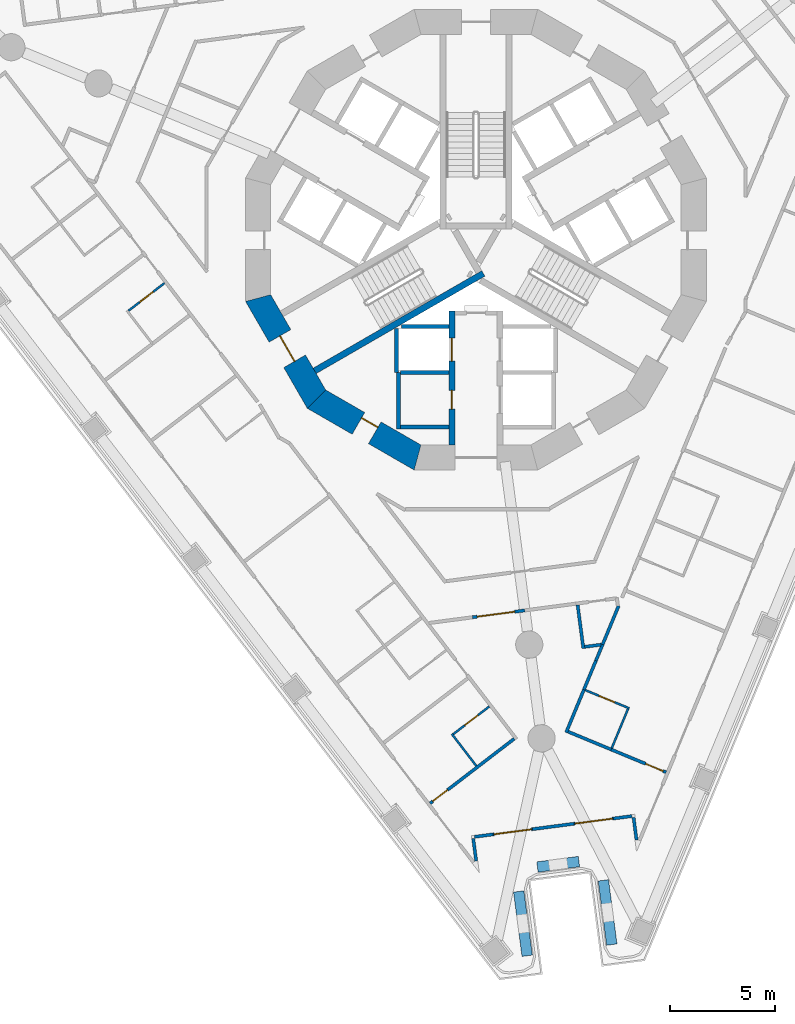
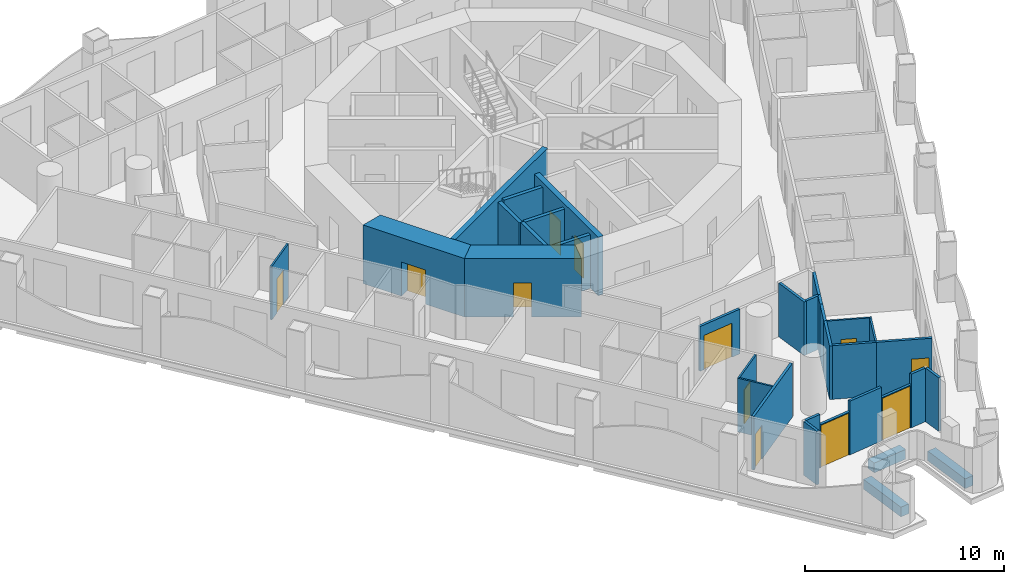
# One storey, part 3 of 19: 34 walls, 12 doors, 12 openings.
"""IFC4 building model written with IfcOpenShell, lengths in metres."""

from ifc_helpers import new_model, si_unit, direction, frame, frame_2d, origin, place, context, subcontext, project, spatial, polyline, rectangle, outline, extrude, material, layer, layer_set, type_object, element, fill, save


model = new_model("IFC4")

# Units and contexts
model_context = context("Model", 3, precision=1e-05, world=origin(), true_north=direction((0.0, 1.0)))
body_context = subcontext(model_context, "Body", "Model", "MODEL_VIEW")
ifc_project = project(units=[si_unit("LENGTHUNIT", "METRE"), si_unit("AREAUNIT", "SQUARE_METRE"), si_unit("VOLUMEUNIT", "CUBIC_METRE"), si_unit("PLANEANGLEUNIT", "RADIAN"), si_unit("MASSUNIT", "GRAM", prefix="KILO")], contexts=[model_context])

# Site, building, storey
site_placement = place(None, origin())
site = spatial("IfcSite", under=ifc_project, at=site_placement, CompositionType="ELEMENT")
building_placement = place(site_placement, origin())
building = spatial("IfcBuilding", under=site, at=building_placement, Name="Trine Commons Tower", CompositionType="ELEMENT")
storey_placement = place(building_placement, frame((0.0, 0.0, 61.199951171875)))
storey = spatial("IfcBuildingStorey", under=building, at=storey_placement, Name="L14", CompositionType="ELEMENT", Elevation=61.199951171875)

# Walls
ifc_material_1 = material(Name="Aluminium-framed insulated wall panel", Category="aluminium")
ifc_layer_1 = layer(ifc_material_1, 0.14990234375)
ifc_layer_set_1 = layer_set([ifc_layer_1], Name="Aluminium-framed insulated wall panel")
wall_type_1 = type_object("IfcWallType", Name="Glazed frame wall 150, EI 60", PredefinedType="SOLIDWALL", material=ifc_layer_set_1)
wall_1_placement = place(storey_placement, frame((87.6953125, 33.6591796875, 0.0), z_axis=(0.0, 0.0, 1.0), x_axis=(-0.130510858064, 0.991446880033, 0.0)))
element("IfcWall", 1, at=wall_1_placement, inside=storey, type_object=wall_type_1, Name="Glazed frame wall R9", PredefinedType="SOLIDWALL", context=body_context, shape_type="SweptSolid", body=[
    extrude(outline(polyline([(0.1494140625, 0.074951171875), (0.1494140625, -0.074951171875), (1.235107421875, -0.074951171875), (1.235107421875, 0.074951171875), (0.1494140625, 0.074951171875)])), origin(), (0.0, 0.0, 1.0), 3.300048828125),
])
wall_2_placement = place(storey_placement, frame((87.55908203125, 34.96240234375, 0.0), z_axis=(0.0, 0.0, 1.0), x_axis=(-0.991465094935, -0.130372410907, 0.0)))
element("IfcWall", 2, at=wall_2_placement, inside=storey, type_object=wall_type_1, Name="Glazed frame wall P3.1", PredefinedType="SOLIDWALL", context=body_context, shape_type="SweptSolid", body=[
    extrude(outline(polyline([(0.110107421875, -0.074951171875), (1.0, -0.074951171875), (1.0, 0.074951171875), (0.110107421875, 0.074951171875), (0.110107421875, -0.074951171875)])), origin(), (0.0, 0.0, 1.0), 3.300048828125),
])

# Wall, opening, door
wall_3_placement = place(storey_placement, frame((86.567626953125, 34.83203125, 0.0), z_axis=(0.0, 0.0, 1.0), x_axis=(-0.991442045538, -0.130547578832, 0.0)))
wall_3 = element("IfcWall", 3, at=wall_3_placement, inside=storey, type_object=wall_type_1, Name="Glazed frame wall P3.2", PredefinedType="SOLIDWALL", context=body_context, shape_type="SweptSolid", body=[
    extrude(outline(polyline([(0.0, -0.074951171875), (1.89990234375, -0.074951171875), (1.89990234375, 0.074951171875), (0.0, 0.074951171875), (0.0, -0.074951171875)])), origin(), (0.0, 0.0, 1.0), 2.650146484375),
])
opening_1_placement = place(wall_3_placement, frame((0.050048828125, 0.0, 0.0)))
opening_1 = element("IfcOpeningElement", 4, at=opening_1_placement, cuts=wall_3, Name="Opening BD-2P3-01", PredefinedType="OPENING", context=body_context, shape_type="SweptSolid", body=[
    extrude(rectangle(XDim=1.800048828125, YDim=2.60009765625, at=frame_2d((0.89990234375, 1.300048828125))), frame((0.0, 0.0849609375, 0.0), z_axis=(0.0, -1.0, 0.0), x_axis=(1.0, 0.0, 0.0)), (0.0, 0.0, 1.0), 0.169921875),
])
ifc_material_2 = material(Name="Anodised aluminium frame with double glazing", Category="aluminium")
door_type_1 = type_object("IfcDoorType", Name="Sliding loggia door 1800x2600", OperationType="SLIDING_TO_LEFT", PredefinedType="DOOR", material=ifc_material_2)
door_1_placement = place(opening_1_placement, origin())
door_1 = element("IfcDoor", 5, at=door_1_placement, inside=storey, type_object=door_type_1, Name="Loggia door P3 1", OperationType="SLIDING_TO_LEFT", OverallHeight=2.60009765625, OverallWidth=1.800048828125, PredefinedType="DOOR", context=body_context, shape_type="SweptSolid", body=[
    extrude(rectangle(XDim=1.800048828125, YDim=2.60009765625, at=frame_2d((0.89990234375, 1.300048828125))), frame((0.0, 0.02490234375, 0.0), z_axis=(0.0, -1.0, 0.0), x_axis=(1.0, 0.0, 0.0)), (0.0, 0.0, 1.0), 0.050048828125),
])
fill(opening_1, door_1)

# Wall
wall_4_placement = place(storey_placement, frame((84.683837890625, 34.583984375, 0.0), z_axis=(0.0, 0.0, 1.0), x_axis=(-0.991449308994, -0.130492404742, 0.0)))
element("IfcWall", 6, at=wall_4_placement, inside=storey, type_object=wall_type_1, Name="Glazed frame wall P3.3", PredefinedType="SOLIDWALL", context=body_context, shape_type="SweptSolid", body=[
    extrude(outline(polyline([(0.0, -0.074951171875), (2.0, -0.074951171875), (2.0, 0.074951171875), (0.0, 0.074951171875), (0.0, -0.074951171875)])), origin(), (0.0, 0.0, 1.0), 3.300048828125),
])

# Wall, opening, door
wall_5_placement = place(storey_placement, frame((82.700927734375, 34.322998046875, 0.0), z_axis=(0.0, 0.0, 1.0), x_axis=(-0.991442045538, -0.130547578832, 0.0)))
wall_5 = element("IfcWall", 7, at=wall_5_placement, inside=storey, type_object=wall_type_1, Name="Glazed frame wall P3.4", PredefinedType="SOLIDWALL", context=body_context, shape_type="SweptSolid", body=[
    extrude(outline(polyline([(0.0, -0.074951171875), (1.89990234375, -0.074951171875), (1.89990234375, 0.074951171875), (0.0, 0.074951171875), (0.0, -0.074951171875)])), origin(), (0.0, 0.0, 1.0), 2.650146484375),
])
opening_2_placement = place(wall_5_placement, frame((0.050048828125, 0.0, 0.0)))
opening_2 = element("IfcOpeningElement", 8, at=opening_2_placement, cuts=wall_5, Name="Opening BD-2P3-02", PredefinedType="OPENING", context=body_context, shape_type="SweptSolid", body=[
    extrude(rectangle(XDim=1.800048828125, YDim=2.60009765625, at=frame_2d((0.89990234375, 1.300048828125))), frame((0.0, 0.0849609375, 0.0), z_axis=(0.0, -1.0, 0.0), x_axis=(1.0, 0.0, 0.0)), (0.0, 0.0, 1.0), 0.169921875),
])
door_2_placement = place(opening_2_placement, origin())
door_2 = element("IfcDoor", 9, at=door_2_placement, inside=storey, type_object=door_type_1, Name="Loggia door P3 2", OperationType="SLIDING_TO_LEFT", OverallHeight=2.60009765625, OverallWidth=1.800048828125, PredefinedType="DOOR", context=body_context, shape_type="SweptSolid", body=[
    extrude(rectangle(XDim=1.800048828125, YDim=2.60009765625, at=frame_2d((0.89990234375, 1.300048828125))), frame((0.0, 0.02490234375, 0.0), z_axis=(0.0, -1.0, 0.0), x_axis=(1.0, 0.0, 0.0)), (0.0, 0.0, 1.0), 0.050048828125),
])
fill(opening_2, door_2)

# Walls
wall_6_placement = place(storey_placement, frame((80.817138671875, 34.074951171875, 0.0), z_axis=(0.0, 0.0, 1.0), x_axis=(-0.991433509034, -0.130612392842, 0.0)))
element("IfcWall", 10, at=wall_6_placement, inside=storey, type_object=wall_type_1, Name="Glazed frame wall P3.5", PredefinedType="SOLIDWALL", context=body_context, shape_type="SweptSolid", body=[
    extrude(outline(polyline([(0.889892578125, 0.074951171875), (0.0, 0.074951171875), (0.0, -0.074951171875), (0.889892578125, -0.074951171875), (0.889892578125, 0.074951171875)])), origin(), (0.0, 0.0, 1.0), 3.300048828125),
])
wall_7_placement = place(storey_placement, frame((79.85595703125, 33.983642578125, 0.0), z_axis=(0.0, 0.0, 1.0), x_axis=(0.130510858064, -0.991446880033, 0.0)))
element("IfcWall", 11, at=wall_7_placement, inside=storey, type_object=wall_type_1, Name="Glazed frame wall R11", PredefinedType="SOLIDWALL", context=body_context, shape_type="SweptSolid", body=[
    extrude(outline(polyline([(0.110107421875, 0.074951171875), (0.110107421875, -0.074951171875), (1.19580078125, -0.074951171875), (1.19580078125, 0.074951171875), (0.110107421875, 0.074951171875)])), origin(), (0.0, 0.0, 1.0), 3.300048828125),
])
ifc_material_3 = material(Name="Planter trough, precast concrete C40/50", Category="concrete")
ifc_layer_2 = layer(ifc_material_3, 0.5)
ifc_layer_set_2 = layer_set([ifc_layer_2], Name="Planter trough, precast concrete C40/50")
wall_type_2 = type_object("IfcWallType", Name="Planter trough 500x600", PredefinedType="PARAPET", material=ifc_layer_set_2)
wall_8_placement = place(storey_placement, frame((86.493408203125, 28.805908203125, 0.0), z_axis=(0.0, 0.0, 1.0), x_axis=(-0.130507484591, 0.9914473241, 0.0)))
element("IfcWall", 12, at=wall_8_placement, inside=storey, type_object=wall_type_2, Name="Planter 7", PredefinedType="PARAPET", context=body_context, shape_type="SweptSolid", body=[
    extrude(rectangle(XDim=3.099853515625, YDim=0.5, at=frame_2d((1.5498046875, 0.0))), origin(), (0.0, 0.0, 1.0), 0.60009765625),
])
wall_9_placement = place(storey_placement, frame((84.922119140625, 32.774658203125, 0.0), z_axis=(0.0, 0.0, 1.0), x_axis=(-0.991433509034, -0.130612392842, 0.0)))
element("IfcWall", 13, at=wall_9_placement, inside=storey, type_object=wall_type_2, Name="Planter 8", PredefinedType="PARAPET", context=body_context, shape_type="SweptSolid", body=[
    extrude(rectangle(XDim=2.0, YDim=0.5, at=frame_2d((1.0, 0.0))), origin(), (0.0, 0.0, 1.0), 0.60009765625),
])
wall_10_placement = place(storey_placement, frame((82.043701171875, 31.3466796875, 0.0), z_axis=(0.0, 0.0, 1.0), x_axis=(0.130574707151, -0.991438473054, 0.0)))
element("IfcWall", 14, at=wall_10_placement, inside=storey, type_object=wall_type_2, Name="Planter 9", PredefinedType="PARAPET", context=body_context, shape_type="SweptSolid", body=[
    extrude(rectangle(XDim=3.10009765625, YDim=0.5, at=frame_2d((1.550048828125, 0.0))), origin(), (0.0, 0.0, 1.0), 0.60009765625),
])

# Wall, opening, door
ifc_material_4 = material(Name="Concrete C80/95", Category="concrete")
ifc_layer_3 = layer(ifc_material_4, 1.199951171875)
ifc_layer_set_3 = layer_set([ifc_layer_3], Name="Concrete C80/95")
wall_type_3 = type_object("IfcWallType", Name="RC shear wall 1200 mm, C80/95", PredefinedType="SHEAR", material=ifc_layer_set_3)
wall_11_placement = place(storey_placement, frame((69.508056640625, 59.849609375, 0.0), z_axis=(0.0, 0.0, 1.0), x_axis=(0.499979111662, -0.866037463336, 0.0)))
wall_11 = element("IfcWall", 15, at=wall_11_placement, inside=storey, type_object=wall_type_3, Name="Core wall CWB-08 L14", PredefinedType="SHEAR", context=body_context, shape_type="SweptSolid", body=[
    extrude(outline(polyline([(0.0, -0.60009765625), (5.901123046875, -0.60009765625), (5.57958984375, 0.60009765625), (0.321533203125, 0.60009765625), (0.0, -0.60009765625)])), origin(), (0.0, 0.0, 1.0), 3.60009765625),
])
opening_3_placement = place(wall_11_placement, frame((2.25048828125, 0.0, 0.0)))
opening_3 = element("IfcOpeningElement", 16, at=opening_3_placement, cuts=wall_11, Name="Opening K05.02", PredefinedType="OPENING", context=body_context, shape_type="SweptSolid", body=[
    extrude(rectangle(XDim=1.39990234375, YDim=2.10009765625, at=frame_2d((0.699951171875, 1.050048828125))), frame((0.0, 0.60986328125, 0.0), z_axis=(0.0, -1.0, 0.0), x_axis=(1.0, 0.0, 0.0)), (0.0, 0.0, 1.0), 1.219970703125),
])
ifc_material_5 = material(Name="Steel door leaves, fire-rated", Category="steel")
door_type_2 = type_object("IfcDoorType", Name="Stair door, double leaf 1400 x 2100, FD90", OperationType="DOUBLE_DOOR_SINGLE_SWING", PredefinedType="DOOR", material=ifc_material_5)
door_3_placement = place(opening_3_placement, origin())
door_3 = element("IfcDoor", 17, at=door_3_placement, inside=storey, type_object=door_type_2, Name="Stair door to Exit stair ST2A L14", OperationType="DOUBLE_DOOR_SINGLE_SWING", OverallHeight=2.10009765625, OverallWidth=1.39990234375, PredefinedType="DOOR", context=body_context, shape_type="SweptSolid", body=[
    extrude(rectangle(XDim=1.39990234375, YDim=2.10009765625, at=frame_2d((0.699951171875, 1.050048828125))), frame((0.0, 0.02490234375, 0.0), z_axis=(0.0, -1.0, 0.0), x_axis=(1.0, 0.0, 0.0)), (0.0, 0.0, 1.0), 0.050048828125),
])
fill(opening_3, door_3)

wall_12_placement = place(storey_placement, frame((72.239013671875, 54.95849609375, 0.0), z_axis=(0.0, 0.0, 1.0), x_axis=(0.866037463336, -0.499979111662, 0.0)))
wall_12 = element("IfcWall", 18, at=wall_12_placement, inside=storey, type_object=wall_type_3, Name="Core wall CWB-09 L14", PredefinedType="SHEAR", context=body_context, shape_type="SweptSolid", body=[
    extrude(outline(polyline([(0.0, -0.60009765625), (5.901123046875, -0.60009765625), (5.57958984375, 0.60009765625), (0.321533203125, 0.60009765625), (0.0, -0.60009765625)])), origin(), (0.0, 0.0, 1.0), 3.60009765625),
])
opening_4_placement = place(wall_12_placement, frame((2.4765625, 0.0, 0.0)))
opening_4 = element("IfcOpeningElement", 19, at=opening_4_placement, cuts=wall_12, Name="Opening K05.14", PredefinedType="OPENING", context=body_context, shape_type="SweptSolid", body=[
    extrude(rectangle(XDim=0.89990234375, YDim=2.10009765625, at=frame_2d((0.449951171875, 1.050048828125))), frame((0.0, 0.60986328125, 0.0), z_axis=(0.0, -1.0, 0.0), x_axis=(1.0, 0.0, 0.0)), (0.0, 0.0, 1.0), 1.219970703125),
])
ifc_material_6 = material(Name="Steel door leaf, fire-rated", Category="steel")
door_type_3 = type_object("IfcDoorType", Name="Core room door, single leaf 900 x 2100, FD30S", OperationType="SINGLE_SWING_LEFT", PredefinedType="DOOR", material=ifc_material_6)
door_4_placement = place(opening_4_placement, origin())
door_4 = element("IfcDoor", 20, at=door_4_placement, inside=storey, type_object=door_type_3, Name="Door to Parcel store L14", OperationType="SINGLE_SWING_LEFT", OverallHeight=2.10009765625, OverallWidth=0.89990234375, PredefinedType="DOOR", context=body_context, shape_type="SweptSolid", body=[
    extrude(rectangle(XDim=0.89990234375, YDim=2.10009765625, at=frame_2d((0.449951171875, 1.050048828125))), frame((0.0, 0.3251953125, 0.0), z_axis=(0.0, -1.0, 0.0), x_axis=(1.0, 0.0, 0.0)), (0.0, 0.0, 1.0), 0.050048828125),
])
fill(opening_4, door_4)

# Wall, openings, doors
ifc_layer_4 = layer(ifc_material_4, 0.300048828125)
ifc_layer_set_4 = layer_set([ifc_layer_4], Name="Concrete C80/95")
wall_type_4 = type_object("IfcWallType", Name="RC shear wall 300 mm, C80/95", PredefinedType="SHEAR", material=ifc_layer_set_4)
wall_13_placement = place(storey_placement, frame((78.85009765625, 59.10009765625, 0.0), z_axis=(0.0, 0.0, 1.0), x_axis=(0.0, -1.0, 0.0)))
wall_13 = element("IfcWall", 21, at=wall_13_placement, inside=storey, type_object=wall_type_4, Name="Core cross wall SWA-03 L14", PredefinedType="SHEAR", context=body_context, shape_type="SweptSolid", body=[
    extrude(rectangle(XDim=6.412109375, YDim=0.300048828125, at=frame_2d((3.2060546875, 0.0))), origin(), (0.0, 0.0, 1.0), 3.60009765625),
])
opening_5_placement = place(wall_13_placement, frame((3.800048828125, 0.0, 0.0)))
opening_5 = element("IfcOpeningElement", 22, at=opening_5_placement, cuts=wall_13, Name="Opening K05.10", PredefinedType="OPENING", context=body_context, shape_type="SweptSolid", body=[
    extrude(rectangle(XDim=0.89990234375, YDim=2.10009765625, at=frame_2d((0.449951171875, 1.050048828125))), frame((0.0, 0.159912109375, 0.0), z_axis=(0.0, -1.0, 0.0), x_axis=(1.0, 0.0, 0.0)), (0.0, 0.0, 1.0), 0.320068359375),
])
opening_6_placement = place(wall_13_placement, frame((1.300048828125, 0.0, 0.0)))
opening_6 = element("IfcOpeningElement", 23, at=opening_6_placement, cuts=wall_13, Name="Opening LD10", PredefinedType="OPENING", context=body_context, shape_type="SweptSolid", body=[
    extrude(rectangle(XDim=1.10009765625, YDim=2.10009765625, at=frame_2d((0.550048828125, 1.050048828125))), frame((0.0, 0.159912109375, 0.0), z_axis=(0.0, -1.0, 0.0), x_axis=(1.0, 0.0, 0.0)), (0.0, 0.0, 1.0), 0.320068359375),
])
door_5_placement = place(opening_5_placement, frame((0.89990234375, 0.0, 0.0), z_axis=(0.0, 0.0, 1.0), x_axis=(-1.0, 0.0, 0.0)))
door_5 = element("IfcDoor", 24, at=door_5_placement, inside=storey, type_object=door_type_3, Name="Door to Comms room L14", OperationType="SINGLE_SWING_RIGHT", OverallHeight=2.10009765625, OverallWidth=0.89990234375, PredefinedType="DOOR", context=body_context, shape_type="SweptSolid", body=[
    extrude(rectangle(XDim=0.89990234375, YDim=2.10009765625, at=frame_2d((0.449951171875, 1.050048828125))), frame((0.0, 0.02490234375, 0.0), z_axis=(0.0, -1.0, 0.0), x_axis=(1.0, 0.0, 0.0)), (0.0, 0.0, 1.0), 0.050048828125),
])
fill(opening_5, door_5)
ifc_material_7 = material(Name="Stainless steel sliding door leaves", Category="steel")
door_type_4 = type_object("IfcDoorType", Name="Lift landing door, centre-opening sliding 1100 x 2100, FD90", OperationType="DOUBLE_DOOR_SLIDING", PredefinedType="DOOR", material=ifc_material_7)
door_6_placement = place(opening_6_placement, origin())
door_6 = element("IfcDoor", 25, at=door_6_placement, inside=storey, type_object=door_type_4, Name="Lift landing door FF2 L14", OperationType="DOUBLE_DOOR_SLIDING", OverallHeight=2.10009765625, OverallWidth=1.10009765625, PredefinedType="DOOR", context=body_context, shape_type="SweptSolid", body=[
    extrude(rectangle(XDim=1.10009765625, YDim=2.10009765625, at=frame_2d((0.550048828125, 1.050048828125))), frame((0.0, 0.02490234375, 0.0), z_axis=(0.0, -1.0, 0.0), x_axis=(1.0, 0.0, 0.0)), (0.0, 0.0, 1.0), 0.050048828125),
])
fill(opening_6, door_6)

# Walls
wall_14_placement = place(storey_placement, frame((80.35400390625, 60.885986328125, 0.0), z_axis=(0.0, 0.0, 1.0), x_axis=(-0.865986456211, -0.50006745311, 0.0)))
element("IfcWall", 26, at=wall_14_placement, inside=storey, type_object=wall_type_4, Name="Core cross wall SWA-14 L14", PredefinedType="SHEAR", context=body_context, shape_type="SweptSolid", body=[
    extrude(rectangle(XDim=9.310791015625, YDim=0.300048828125, at=frame_2d((4.6552734375, 0.0))), origin(), (0.0, 0.0, 1.0), 3.60009765625),
])
ifc_material_8 = material(Name="Fire-rated gypsum shaft wall system")
ifc_layer_5 = layer(ifc_material_8, 0.199951171875)
ifc_layer_set_5 = layer_set([ifc_layer_5], Name="Fire-rated gypsum shaft wall system")
wall_type_5 = type_object("IfcWallType", Name="Shaft wall 200 mm, EI 120", PredefinedType="PARTITIONING", material=ifc_layer_set_5)
wall_15_placement = place(storey_placement, frame((76.199951171875, 58.256103515625, 0.0), z_axis=(0.0, 0.0, 1.0), x_axis=(0.0, -1.0, 0.0)))
element("IfcWall", 27, at=wall_15_placement, inside=storey, type_object=wall_type_5, Name="Shaft wall L14", PredefinedType="PARTITIONING", context=body_context, shape_type="SweptSolid", body=[
    extrude(rectangle(XDim=2.106201171875, YDim=0.199951171875, at=frame_2d((1.05322265625, 0.0))), origin(), (0.0, 0.0, 1.0), 3.300048828125),
])
wall_16_placement = place(storey_placement, frame((76.300048828125, 56.14990234375, 0.0), z_axis=(0.0, 0.0, 1.0), x_axis=(0.0, -1.0, 0.0)))
element("IfcWall", 28, at=wall_16_placement, inside=storey, type_object=wall_type_5, Name="Shaft wall L14", PredefinedType="PARTITIONING", context=body_context, shape_type="SweptSolid", body=[
    extrude(rectangle(XDim=2.699951171875, YDim=0.199951171875, at=frame_2d((1.35009765625, 0.0))), origin(), (0.0, 0.0, 1.0), 3.300048828125),
])
for number, where, z_axis, x_axis, name in (
    (29, (78.699951171875, 53.550048828125, 0.0), (0.0, 0.0, 1.0), (-1.0, 0.0, 0.0), "Shaft wall L14"),
    (30, (78.699951171875, 56.14990234375, 0.0), (0.0, 0.0, 1.0), (-1.0, 0.0, 0.0), "Shaft wall L14"),
):
    element("IfcWall", number, at=place(storey_placement, frame(where, z_axis=z_axis, x_axis=x_axis)), inside=storey, type_object=wall_type_5, Name=name, PredefinedType="PARTITIONING", context=body_context, shape_type="SweptSolid", body=[
        extrude(rectangle(XDim=2.300048828125, YDim=0.199951171875, at=frame_2d((1.14990234375, 0.0))), origin(), (0.0, 0.0, 1.0), 3.300048828125),
    ])
wall_17_placement = place(storey_placement, frame((78.699951171875, 58.35009765625, 0.0), z_axis=(0.0, 0.0, 1.0), x_axis=(-1.0, 0.0, 0.0)))
element("IfcWall", 31, at=wall_17_placement, inside=storey, type_object=wall_type_5, Name="Shaft wall L14", PredefinedType="PARTITIONING", context=body_context, shape_type="SweptSolid", body=[
    extrude(rectangle(XDim=2.264892578125, YDim=0.199951171875, at=frame_2d((1.13232421875, 0.0))), origin(), (0.0, 0.0, 1.0), 3.300048828125),
])

# Wall, opening, door
ifc_material_9 = material(Name="Gypsum plasterboard on steel stud", Category="steel")
ifc_layer_6 = layer(ifc_material_9, 0.14990234375)
ifc_layer_set_6 = layer_set([ifc_layer_6], Name="Gypsum plasterboard on steel stud")
wall_type_6 = type_object("IfcWallType", Name="Unit and corridor wall 150 mm, EI 60", PredefinedType="PARTITIONING", material=ifc_layer_set_6)
wall_18_placement = place(storey_placement, frame((77.810791015625, 35.560302734375, 0.0), z_axis=(0.0, 0.0, 1.0), x_axis=(0.793261664916, 0.60888088406, 0.0)))
wall_18 = element("IfcWall", 32, at=wall_18_placement, inside=storey, type_object=wall_type_6, Name="Partition 074", PredefinedType="PARTITIONING", context=body_context, shape_type="SweptSolid", body=[
    extrude(rectangle(XDim=5.0634765625, YDim=0.14990234375, at=frame_2d((2.53173828125, 0.0))), origin(), (0.0, 0.0, 1.0), 3.300048828125),
])
opening_7_placement = place(wall_18_placement, frame((0.14990234375, 0.0, 0.0)))
opening_7 = element("IfcOpeningElement", 33, at=opening_7_placement, cuts=wall_18, Name="Opening D-2B23", PredefinedType="OPENING", context=body_context, shape_type="SweptSolid", body=[
    extrude(rectangle(XDim=0.89990234375, YDim=2.10009765625, at=frame_2d((0.449951171875, 1.050048828125))), frame((0.0, 0.0849609375, 0.0), z_axis=(0.0, -1.0, 0.0), x_axis=(1.0, 0.0, 0.0)), (0.0, 0.0, 1.0), 0.169921875),
])
ifc_material_10 = material(Name="Timber fire door set", Category="wood")
door_type_5 = type_object("IfcDoorType", Name="Bedroom door 900 x 2100, FD30S", OperationType="NOTDEFINED", PredefinedType="DOOR", material=ifc_material_10)
door_7_placement = place(opening_7_placement, origin())
door_7 = element("IfcDoor", 34, at=door_7_placement, inside=storey, type_object=door_type_5, Name="Door D-2B23", OperationType="SINGLE_SWING_LEFT", OverallHeight=2.10009765625, OverallWidth=0.89990234375, PredefinedType="DOOR", context=body_context, shape_type="SweptSolid", body=[
    extrude(rectangle(XDim=0.89990234375, YDim=2.10009765625, at=frame_2d((0.449951171875, 1.050048828125))), frame((0.0, 0.02490234375, 0.0), z_axis=(0.0, -1.0, 0.0), x_axis=(1.0, 0.0, 0.0)), (0.0, 0.0, 1.0), 0.050048828125),
])
fill(opening_7, door_7)

wall_19_placement = place(storey_placement, frame((79.830078125, 44.450927734375, 0.0), z_axis=(0.0, 0.0, 1.0), x_axis=(0.991466141497, 0.130364451691, 0.0)))
wall_19 = element("IfcWall", 35, at=wall_19_placement, inside=storey, type_object=wall_type_6, Name="Partition 080", PredefinedType="PARTITIONING", context=body_context, shape_type="SweptSolid", body=[
    extrude(rectangle(XDim=2.5244140625, YDim=0.14990234375, at=frame_2d((1.26220703125, 0.0))), origin(), (0.0, 0.0, 1.0), 2.75),
])
opening_8_placement = place(wall_19_placement, frame((0.23486328125, 0.0, 0.0)))
opening_8 = element("IfcOpeningElement", 36, at=opening_8_placement, cuts=wall_19, Name="Opening D-2B02", PredefinedType="OPENING", context=body_context, shape_type="SweptSolid", body=[
    extrude(rectangle(XDim=1.800048828125, YDim=2.10009765625, at=frame_2d((0.89990234375, 1.050048828125))), frame((0.0, 0.0849609375, 0.0), z_axis=(0.0, -1.0, 0.0), x_axis=(1.0, 0.0, 0.0)), (0.0, 0.0, 1.0), 0.169921875),
])
door_type_6 = type_object("IfcDoorType", Name="Cluster entrance door 1800 x 2100, double leaf, FD30S", OperationType="DOUBLE_DOOR_DOUBLE_SWING", PredefinedType="DOOR", material=ifc_material_10)
door_8_placement = place(opening_8_placement, frame((1.800048828125, 0.0, 0.0), z_axis=(0.0, 0.0, 1.0), x_axis=(-1.0, 0.0, 0.0)))
door_8 = element("IfcDoor", 37, at=door_8_placement, inside=storey, type_object=door_type_6, Name="Door D-2B02", OperationType="DOUBLE_DOOR_DOUBLE_SWING", OverallHeight=2.10009765625, OverallWidth=1.800048828125, PredefinedType="DOOR", context=body_context, shape_type="SweptSolid", body=[
    extrude(rectangle(XDim=1.800048828125, YDim=2.10009765625, at=frame_2d((0.89990234375, 1.050048828125))), frame((0.0, 0.02490234375, 0.0), z_axis=(0.0, -1.0, 0.0), x_axis=(1.0, 0.0, 0.0)), (0.0, 0.0, 1.0), 0.050048828125),
])
fill(opening_8, door_8)

# Walls
wall_20_placement = place(storey_placement, frame((84.310302734375, 38.941650390625, 0.0), z_axis=(0.0, 0.0, 1.0), x_axis=(0.382789938294, 0.923835409118, 0.0)))
element("IfcWall", 38, at=wall_20_placement, inside=storey, type_object=wall_type_6, Name="Partition 085", PredefinedType="PARTITIONING", context=body_context, shape_type="SweptSolid", body=[
    extrude(rectangle(XDim=2.280029296875, YDim=0.14990234375, at=frame_2d((1.14013671875, 0.0))), origin(), (0.0, 0.0, 1.0), 3.300048828125),
])
wall_21_placement = place(storey_placement, frame((84.408203125, 38.982421875, 0.0), z_axis=(0.0, 0.0, 1.0), x_axis=(0.923765743921, -0.382958026888, 0.0)))
element("IfcWall", 39, at=wall_21_placement, inside=storey, type_object=wall_type_6, Name="Partition 086", PredefinedType="PARTITIONING", context=body_context, shape_type="SweptSolid", body=[
    extrude(rectangle(XDim=2.228759765625, YDim=0.14990234375, at=frame_2d((1.1142578125, 0.0))), origin(), (0.0, 0.0, 1.0), 3.300048828125),
])
wall_22_placement = place(storey_placement, frame((84.86083984375, 45.03759765625, 0.0), z_axis=(0.0, 0.0, 1.0), x_axis=(0.130899564309, -0.991395634479, 0.0)))
element("IfcWall", 40, at=wall_22_placement, inside=storey, type_object=wall_type_6, Name="Partition 088", PredefinedType="PARTITIONING", context=body_context, shape_type="SweptSolid", body=[
    extrude(rectangle(XDim=2.10009765625, YDim=0.14990234375, at=frame_2d((1.050048828125, 0.0))), origin(), (0.0, 0.0, 1.0), 3.300048828125),
])
wall_23_placement = place(storey_placement, frame((85.200439453125, 43.039794921875, 0.0), z_axis=(0.0, 0.0, 1.0), x_axis=(0.991515431038, 0.129989038049, 0.0)))
element("IfcWall", 41, at=wall_23_placement, inside=storey, type_object=wall_type_6, Name="Partition 089", PredefinedType="PARTITIONING", context=body_context, shape_type="SweptSolid", body=[
    extrude(rectangle(XDim=0.786865234375, YDim=0.14990234375, at=frame_2d((0.3935546875, 0.0))), origin(), (0.0, 0.0, 1.0), 3.300048828125),
])
wall_24_placement = place(storey_placement, frame((85.160888671875, 40.993896484375, 0.0), z_axis=(0.0, 0.0, 1.0), x_axis=(0.382519732759, 0.923947322118, 0.0)))
element("IfcWall", 42, at=wall_24_placement, inside=storey, type_object=wall_type_6, Name="Partition 090", PredefinedType="PARTITIONING", context=body_context, shape_type="SweptSolid", body=[
    extrude(rectangle(XDim=1.498046875, YDim=0.14990234375, at=frame_2d((0.7490234375, 0.0))), origin(), (0.0, 0.0, 1.0), 3.300048828125),
])
wall_25_placement = place(storey_placement, frame((85.73388671875, 42.3779296875, 0.0), z_axis=(0.0, 0.0, 1.0), x_axis=(0.383063523393, 0.923722002036, 0.0)))
element("IfcWall", 43, at=wall_25_placement, inside=storey, type_object=wall_type_6, Name="Partition 095", PredefinedType="PARTITIONING", context=body_context, shape_type="SweptSolid", body=[
    extrude(rectangle(XDim=0.838134765625, YDim=0.14990234375, at=frame_2d((0.4189453125, 0.0))), origin(), (0.0, 0.0, 1.0), 3.300048828125),
])
wall_26_placement = place(storey_placement, frame((86.054931640625, 43.152099609375, 0.0), z_axis=(0.0, 0.0, 1.0), x_axis=(0.382829605696, 0.923818971987, 0.0)))
element("IfcWall", 44, at=wall_26_placement, inside=storey, type_object=wall_type_6, Name="Partition 096", PredefinedType="PARTITIONING", context=body_context, shape_type="SweptSolid", body=[
    extrude(rectangle(XDim=2.00048828125, YDim=0.14990234375, at=frame_2d((1.000244140625, 0.0))), origin(), (0.0, 0.0, 1.0), 3.300048828125),
])

# Wall, opening, door
wall_27_placement = place(storey_placement, frame((86.413818359375, 38.151123046875, 0.0), z_axis=(0.0, 0.0, 1.0), x_axis=(0.923916054036, -0.382595249703, 0.0)))
wall_27 = element("IfcWall", 45, at=wall_27_placement, inside=storey, type_object=wall_type_6, Name="Partition 097", PredefinedType="PARTITIONING", context=body_context, shape_type="SweptSolid", body=[
    extrude(rectangle(XDim=2.893310546875, YDim=0.14990234375, at=frame_2d((1.44677734375, 0.0))), origin(), (0.0, 0.0, 1.0), 3.300048828125),
])
opening_9_placement = place(wall_27_placement, frame((1.84326171875, 0.0, 0.0)))
opening_9 = element("IfcOpeningElement", 46, at=opening_9_placement, cuts=wall_27, Name="Opening D-2B22", PredefinedType="OPENING", context=body_context, shape_type="SweptSolid", body=[
    extrude(rectangle(XDim=0.89990234375, YDim=2.10009765625, at=frame_2d((0.449951171875, 1.050048828125))), frame((0.0, 0.0849609375, 0.0), z_axis=(0.0, -1.0, 0.0), x_axis=(1.0, 0.0, 0.0)), (0.0, 0.0, 1.0), 0.169921875),
])
door_9_placement = place(opening_9_placement, origin())
door_9 = element("IfcDoor", 47, at=door_9_placement, inside=storey, type_object=door_type_5, Name="Door D-2B22", OperationType="SINGLE_SWING_RIGHT", OverallHeight=2.10009765625, OverallWidth=0.89990234375, PredefinedType="DOOR", context=body_context, shape_type="SweptSolid", body=[
    extrude(rectangle(XDim=0.89990234375, YDim=2.10009765625, at=frame_2d((0.449951171875, 1.050048828125))), frame((0.0, 0.02490234375, 0.0), z_axis=(0.0, -1.0, 0.0), x_axis=(1.0, 0.0, 0.0)), (0.0, 0.0, 1.0), 0.050048828125),
])
fill(opening_9, door_9)

ifc_layer_7 = layer(ifc_material_9, 0.10009765625)
ifc_layer_set_7 = layer_set([ifc_layer_7], Name="Gypsum plasterboard on steel stud")
wall_type_7 = type_object("IfcWallType", Name="Unit partition 100 mm, no rating", PredefinedType="PARTITIONING", material=ifc_layer_set_7)
wall_28_placement = place(storey_placement, frame((63.388671875, 59.101318359375, 0.0), z_axis=(0.0, 0.0, 1.0), x_axis=(0.79342025342, 0.608674216197, 0.0)))
wall_28 = element("IfcWall", 48, at=wall_28_placement, inside=storey, type_object=wall_type_7, Name="Partition 024", PredefinedType="PARTITIONING", context=body_context, shape_type="SweptSolid", body=[
    extrude(rectangle(XDim=2.17529296875, YDim=0.10009765625, at=frame_2d((1.087646484375, 0.0))), origin(), (0.0, 0.0, 1.0), 3.300048828125),
])
opening_10_placement = place(wall_28_placement, frame((0.6875, 0.0, 0.0)))
opening_10 = element("IfcOpeningElement", 49, at=opening_10_placement, cuts=wall_28, Name="Opening D-2B55", PredefinedType="OPENING", context=body_context, shape_type="SweptSolid", body=[
    extrude(rectangle(XDim=0.800048828125, YDim=2.10009765625, at=frame_2d((0.39990234375, 1.050048828125))), frame((0.0, 0.06005859375, 0.0), z_axis=(0.0, -1.0, 0.0), x_axis=(1.0, 0.0, 0.0)), (0.0, 0.0, 1.0), 0.1201171875),
])
ifc_material_11 = material(Name="Painted timber", Category="wood")
door_type_7 = type_object("IfcDoorType", Name="Internal door 800 x 2100, NOT RATED", OperationType="NOTDEFINED", PredefinedType="DOOR", material=ifc_material_11)
door_10_placement = place(opening_10_placement, origin())
door_10 = element("IfcDoor", 50, at=door_10_placement, inside=storey, type_object=door_type_7, Name="Door D-2B55", OperationType="SINGLE_SWING_RIGHT", OverallHeight=2.10009765625, OverallWidth=0.800048828125, PredefinedType="DOOR", context=body_context, shape_type="SweptSolid", body=[
    extrude(rectangle(XDim=0.800048828125, YDim=2.10009765625, at=frame_2d((0.39990234375, 1.050048828125))), frame((0.0, 0.02490234375, 0.0), z_axis=(0.0, -1.0, 0.0), x_axis=(1.0, 0.0, 0.0)), (0.0, 0.0, 1.0), 0.050048828125),
])
fill(opening_10, door_10)

# Wall
wall_29_placement = place(storey_placement, frame((78.845703125, 38.875732421875, 0.0), z_axis=(0.0, 0.0, 1.0), x_axis=(0.608649853766, -0.793438942522, 0.0)))
element("IfcWall", 51, at=wall_29_placement, inside=storey, type_object=wall_type_7, Name="Partition 077", PredefinedType="PARTITIONING", context=body_context, shape_type="SweptSolid", body=[
    extrude(rectangle(XDim=1.925048828125, YDim=0.10009765625, at=frame_2d((0.96240234375, 0.0))), origin(), (0.0, 0.0, 1.0), 3.300048828125),
])

# Wall, opening, door
wall_30_placement = place(storey_placement, frame((78.915771484375, 38.866455078125, 0.0), z_axis=(0.0, 0.0, 1.0), x_axis=(0.793266438723, 0.608874664603, 0.0)))
wall_30 = element("IfcWall", 52, at=wall_30_placement, inside=storey, type_object=wall_type_7, Name="Partition 078", PredefinedType="PARTITIONING", context=body_context, shape_type="SweptSolid", body=[
    extrude(rectangle(XDim=2.174072265625, YDim=0.10009765625, at=frame_2d((1.0869140625, 0.0))), origin(), (0.0, 0.0, 1.0), 3.300048828125),
])
opening_11_placement = place(wall_30_placement, frame((0.687255859375, 0.0, 0.0)))
opening_11 = element("IfcOpeningElement", 53, at=opening_11_placement, cuts=wall_30, Name="Opening D-2B51", PredefinedType="OPENING", context=body_context, shape_type="SweptSolid", body=[
    extrude(rectangle(XDim=0.800048828125, YDim=2.10009765625, at=frame_2d((0.39990234375, 1.050048828125))), frame((0.0, 0.06005859375, 0.0), z_axis=(0.0, -1.0, 0.0), x_axis=(1.0, 0.0, 0.0)), (0.0, 0.0, 1.0), 0.1201171875),
])
door_11_placement = place(opening_11_placement, origin())
door_11 = element("IfcDoor", 54, at=door_11_placement, inside=storey, type_object=door_type_7, Name="Door D-2B51", OperationType="SINGLE_SWING_RIGHT", OverallHeight=2.10009765625, OverallWidth=0.800048828125, PredefinedType="DOOR", context=body_context, shape_type="SweptSolid", body=[
    extrude(rectangle(XDim=0.800048828125, YDim=2.10009765625, at=frame_2d((0.39990234375, 1.050048828125))), frame((0.0, 0.02490234375, 0.0), z_axis=(0.0, -1.0, 0.0), x_axis=(1.0, 0.0, 0.0)), (0.0, 0.0, 1.0), 0.050048828125),
])
fill(opening_11, door_11)

wall_31_placement = place(storey_placement, frame((85.231201171875, 40.96923828125, 0.0), z_axis=(0.0, 0.0, 1.0), x_axis=(0.923931833824, -0.382557141415, 0.0)))
wall_31 = element("IfcWall", 55, at=wall_31_placement, inside=storey, type_object=wall_type_7, Name="Partition 092", PredefinedType="PARTITIONING", context=body_context, shape_type="SweptSolid", body=[
    extrude(rectangle(XDim=2.275146484375, YDim=0.10009765625, at=frame_2d((1.1376953125, 0.0))), origin(), (0.0, 0.0, 1.0), 3.300048828125),
])
opening_12_placement = place(wall_31_placement, frame((0.71240234375, 0.0, 0.0)))
opening_12 = element("IfcOpeningElement", 56, at=opening_12_placement, cuts=wall_31, Name="Opening D-2B50", PredefinedType="OPENING", context=body_context, shape_type="SweptSolid", body=[
    extrude(rectangle(XDim=0.800048828125, YDim=2.10009765625, at=frame_2d((0.39990234375, 1.050048828125))), frame((0.0, 0.06005859375, 0.0), z_axis=(0.0, -1.0, 0.0), x_axis=(1.0, 0.0, 0.0)), (0.0, 0.0, 1.0), 0.1201171875),
])
door_12_placement = place(opening_12_placement, origin())
door_12 = element("IfcDoor", 57, at=door_12_placement, inside=storey, type_object=door_type_7, Name="Door D-2B50", OperationType="SINGLE_SWING_LEFT", OverallHeight=2.10009765625, OverallWidth=0.800048828125, PredefinedType="DOOR", context=body_context, shape_type="SweptSolid", body=[
    extrude(rectangle(XDim=0.800048828125, YDim=2.10009765625, at=frame_2d((0.39990234375, 1.050048828125))), frame((0.0, 0.02490234375, 0.0), z_axis=(0.0, -1.0, 0.0), x_axis=(1.0, 0.0, 0.0)), (0.0, 0.0, 1.0), 0.050048828125),
])
fill(opening_12, door_12)

# Wall
wall_32_placement = place(storey_placement, frame((86.49267578125, 38.2001953125, 0.0), z_axis=(0.0, 0.0, 1.0), x_axis=(0.382646278951, 0.923894921084, 0.0)))
element("IfcWall", 58, at=wall_32_placement, inside=storey, type_object=wall_type_7, Name="Partition 098", PredefinedType="PARTITIONING", context=body_context, shape_type="SweptSolid", body=[
    extrude(rectangle(XDim=2.025634765625, YDim=0.10009765625, at=frame_2d((1.0126953125, 0.0))), origin(), (0.0, 0.0, 1.0), 3.300048828125),
])

save(model, "model.ifc")
